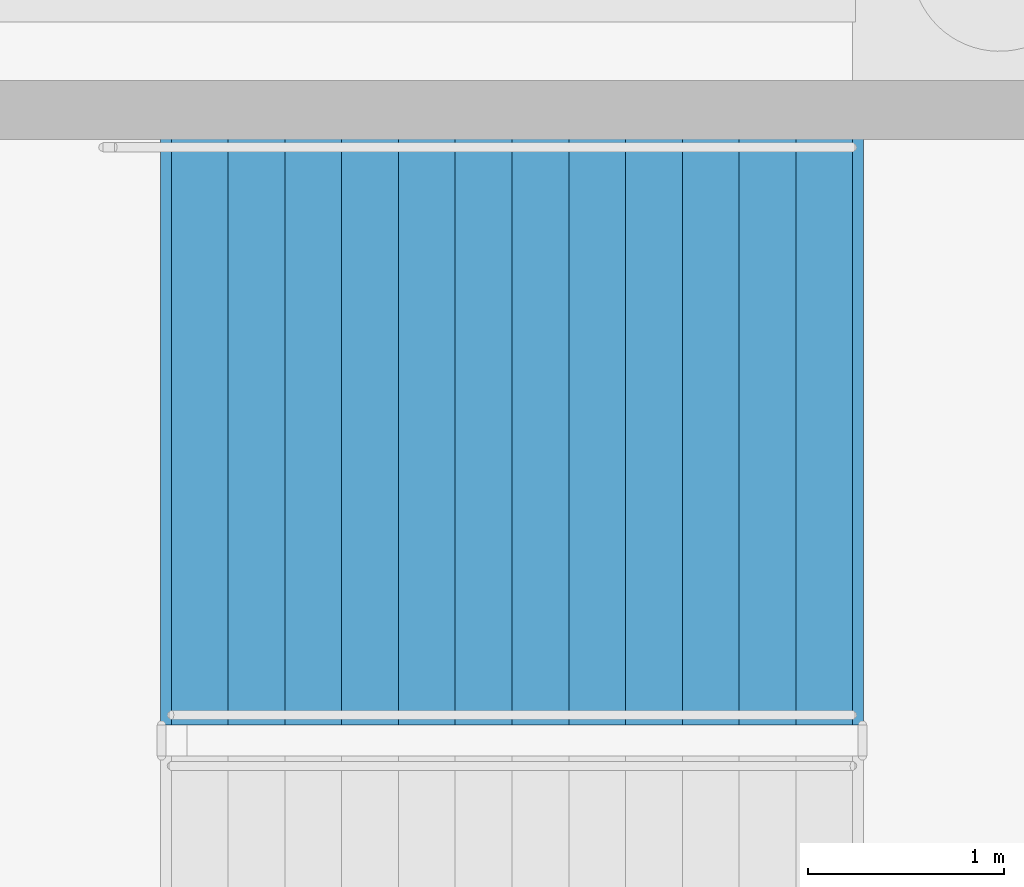
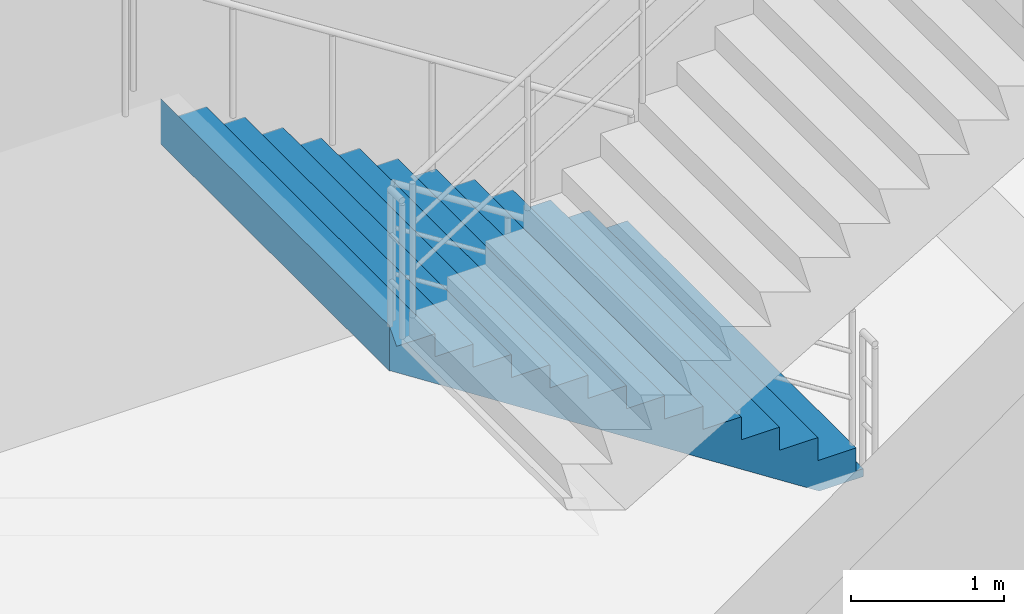
# One storey, part 59 of 68: 1 stair flight, 1 element without a shape of its own.
"""IFC4 building model written with IfcOpenShell, lengths in metres."""

from ifc_helpers import new_model, si_unit, direction, frame, origin, place, context, subcontext, project, spatial, polyline, outline, extrude, material, type_object, element, aggregate, save


model = new_model("IFC4")

# Units and contexts
model_context = context("Model", 3, precision=1e-05, world=origin(), true_north=direction((0.0, 1.0)))
body_context = subcontext(model_context, "Body", "Model", "MODEL_VIEW")
ifc_project = project(units=[si_unit("LENGTHUNIT", "METRE"), si_unit("AREAUNIT", "SQUARE_METRE"), si_unit("VOLUMEUNIT", "CUBIC_METRE"), si_unit("PLANEANGLEUNIT", "RADIAN"), si_unit("MASSUNIT", "GRAM", prefix="KILO")], contexts=[model_context])

# Site, building, storey
site_placement = place(None, origin())
site = spatial("IfcSite", under=ifc_project, at=site_placement, CompositionType="ELEMENT")
building_placement = place(site_placement, origin())
building = spatial("IfcBuilding", under=site, at=building_placement, Name="Cinderbank Siding Concert Hall", CompositionType="ELEMENT")
storey_placement = place(building_placement, frame((0.0, 0.0, -4.800048828125)))
storey = spatial("IfcBuildingStorey", under=building, at=storey_placement, Name="B1", CompositionType="ELEMENT", Elevation=-4.800048828125)

# Stair, stair flight
ifc_material = material(Name="Reinforced concrete AS 3600 N50 (50 MPa)", Category="concrete")
stair_type = type_object("IfcStairType", Name="STR-I Dogleg Exit Stair 3000mm", PredefinedType="HALF_TURN_STAIR", material=ifc_material)
stair_placement = place(storey_placement, origin())
stair = element("IfcStair", 1, at=stair_placement, inside=storey, type_object=stair_type, Name="B1 East Link Exit Stair ST-11", PredefinedType="HALF_TURN_STAIR")
stair_flight_type = type_object("IfcStairFlightType", Name="SFL-I Concrete Stair Flight 3000mm", PredefinedType="STRAIGHT", material=ifc_material)
stair_flight_placement = place(storey_placement, frame((159.699951171875, 86.2099609375, 0.0), z_axis=(0.0, 0.0, 1.0), x_axis=(-1.0, 0.0, 0.0)))
stair_flight = element("IfcStairFlight", 2, at=stair_flight_placement, type_object=stair_flight_type, Name="ST-11 flight 1", NumberOfRisers=13, NumberOfTreads=12, PredefinedType="STRAIGHT", RiserHeight=0.184615385, TreadLength=0.29, context=body_context, shape_type="SweptSolid", body=[
    extrude(outline(polyline([(0.0, 0.0), (0.0, 0.1845703125), (0.2900390625, 0.1845703125), (0.2900390625, 0.369140625), (0.580078125, 0.369140625), (0.580078125, 0.553955078125), (0.8701171875, 0.553955078125), (0.8701171875, 0.738525390625), (1.159912109375, 0.738525390625), (1.159912109375, 0.923095703125), (1.449951171875, 0.923095703125), (1.449951171875, 1.107666015625), (1.739990234375, 1.107666015625), (1.739990234375, 1.292236328125), (2.030029296875, 1.292236328125), (2.030029296875, 1.476806640625), (2.320068359375, 1.476806640625), (2.320068359375, 1.66162109375), (2.610107421875, 1.66162109375), (2.610107421875, 1.84619140625), (2.89990234375, 1.84619140625), (2.89990234375, 2.03076171875), (3.18994140625, 2.03076171875), (3.18994140625, 2.21533203125), (3.47998046875, 2.21533203125), (3.534912109375, 2.39990234375), (3.534912109375, 2.03759765625), (3.53466796875, 2.037841796875), (3.53466796875, 2.0380859375), (3.53466796875, 2.038330078125), (3.53466796875, 2.03857421875), (3.53466796875, 2.038818359375), (3.53466796875, 2.0390625), (3.53466796875, 2.039306640625), (3.53466796875, 2.03955078125), (3.53466796875, 2.039794921875), (3.53466796875, 2.0400390625), (3.53466796875, 2.040283203125), (3.53466796875, 2.04052734375), (3.534423828125, 2.04052734375), (3.534423828125, 2.040283203125), (3.534423828125, 2.0400390625), (3.534423828125, 2.039794921875), (3.534423828125, 2.03955078125), (3.534423828125, 2.039306640625), (3.534423828125, 2.0390625), (3.534423828125, 2.038818359375), (3.534423828125, 2.03857421875), (3.534423828125, 2.038330078125), (3.534423828125, 2.0380859375), (3.534423828125, 2.037841796875), (3.534423828125, 2.03759765625), (3.5341796875, 2.037841796875), (3.5341796875, 2.0380859375), (3.5341796875, 2.038330078125), (3.5341796875, 2.03857421875), (3.5341796875, 2.038818359375), (3.5341796875, 2.0390625), (3.5341796875, 2.039306640625), (3.5341796875, 2.03955078125), (3.5341796875, 2.039794921875), (3.5341796875, 2.0400390625), (3.5341796875, 2.040283203125), (3.5341796875, 2.04052734375), (3.533935546875, 2.04052734375), (3.533935546875, 2.040283203125), (3.533935546875, 2.0400390625), (3.533935546875, 2.039794921875), (3.533935546875, 2.03955078125), (3.533935546875, 2.039306640625), (3.533935546875, 2.0390625), (3.533935546875, 2.038818359375), (3.533935546875, 2.03857421875), (3.533935546875, 2.038330078125), (3.533935546875, 2.0380859375), (3.533935546875, 2.037841796875), (3.533935546875, 2.03759765625), (3.53369140625, 2.037841796875), (3.53369140625, 2.0380859375), (3.53369140625, 2.038330078125), (3.53369140625, 2.03857421875), (3.53369140625, 2.038818359375), (3.53369140625, 2.0390625), (3.53369140625, 2.039306640625), (3.53369140625, 2.03955078125), (3.53369140625, 2.039794921875), (3.53369140625, 2.0400390625), (3.53369140625, 2.040283203125), (3.53369140625, 2.04052734375), (3.533447265625, 2.04052734375), (3.533447265625, 2.040283203125), (3.533447265625, 2.0400390625), (3.533447265625, 2.039794921875), (3.533447265625, 2.03955078125), (3.533447265625, 2.039306640625), (3.533447265625, 2.0390625), (3.533447265625, 2.038818359375), (3.533447265625, 2.03857421875), (3.533447265625, 2.038330078125), (3.533447265625, 2.0380859375), (3.533447265625, 2.037841796875), (3.533447265625, 2.03759765625), (3.533203125, 2.037841796875), (3.533203125, 2.0380859375), (3.533203125, 2.038330078125), (3.533203125, 2.03857421875), (3.533203125, 2.038818359375), (3.533203125, 2.0390625), (3.533203125, 2.039306640625), (3.533203125, 2.03955078125), (3.533203125, 2.039794921875), (3.533203125, 2.0400390625), (3.533203125, 2.040283203125), (3.533203125, 2.04052734375), (3.532958984375, 2.04052734375), (3.532958984375, 2.040283203125), (3.532958984375, 2.0400390625), (3.532958984375, 2.039794921875), (3.532958984375, 2.03955078125), (3.532958984375, 2.039306640625), (3.532958984375, 2.0390625), (3.532958984375, 2.038818359375), (3.532958984375, 2.03857421875), (3.532958984375, 2.038330078125), (3.532958984375, 2.0380859375), (3.532958984375, 2.037841796875), (3.532958984375, 2.03759765625), (3.53271484375, 2.037841796875), (3.53271484375, 2.0380859375), (3.53271484375, 2.038330078125), (3.53271484375, 2.03857421875), (3.53271484375, 2.038818359375), (3.53271484375, 2.0390625), (3.53271484375, 2.039306640625), (3.53271484375, 2.03955078125), (3.53271484375, 2.039794921875), (3.53271484375, 2.0400390625), (3.53271484375, 2.040283203125), (3.53271484375, 2.04052734375), (3.532470703125, 2.04052734375), (3.532470703125, 2.040283203125), (3.532470703125, 2.0400390625), (3.532470703125, 2.039794921875), (3.532470703125, 2.03955078125), (3.532470703125, 2.039306640625), (3.532470703125, 2.0390625), (3.532470703125, 2.038818359375), (3.532470703125, 2.03857421875), (3.532470703125, 2.038330078125), (3.532470703125, 2.0380859375), (3.532470703125, 2.037841796875), (3.532470703125, 2.03759765625), (3.5322265625, 2.037841796875), (3.5322265625, 2.0380859375), (3.5322265625, 2.038330078125), (3.5322265625, 2.03857421875), (3.5322265625, 2.038818359375), (3.5322265625, 2.0390625), (3.5322265625, 2.039306640625), (3.5322265625, 2.03955078125), (3.5322265625, 2.039794921875), (3.5322265625, 2.0400390625), (3.5322265625, 2.040283203125), (3.5322265625, 2.04052734375), (3.531982421875, 2.04052734375), (3.531982421875, 2.040283203125), (3.531982421875, 2.0400390625), (3.531982421875, 2.039794921875), (3.531982421875, 2.03955078125), (3.531982421875, 2.039306640625), (3.531982421875, 2.0390625), (3.531982421875, 2.038818359375), (3.531982421875, 2.03857421875), (3.531982421875, 2.038330078125), (3.531982421875, 2.0380859375), (3.531982421875, 2.037841796875), (3.531982421875, 2.03759765625), (3.53173828125, 2.037841796875), (3.53173828125, 2.0380859375), (3.53173828125, 2.038330078125), (3.53173828125, 2.03857421875), (3.53173828125, 2.038818359375), (3.53173828125, 2.0390625), (3.53173828125, 2.039306640625), (3.53173828125, 2.03955078125), (3.53173828125, 2.039794921875), (3.53173828125, 2.0400390625), (3.53173828125, 2.040283203125), (3.53173828125, 2.04052734375), (3.531494140625, 2.04052734375), (3.531494140625, 2.040283203125), (3.531494140625, 2.0400390625), (3.531494140625, 2.039794921875), (3.531494140625, 2.03955078125), (3.531494140625, 2.039306640625), (3.531494140625, 2.0390625), (3.531494140625, 2.038818359375), (3.531494140625, 2.03857421875), (3.531494140625, 2.038330078125), (3.531494140625, 2.0380859375), (3.531494140625, 2.037841796875), (3.531494140625, 2.03759765625), (3.53125, 2.037841796875), (3.53125, 2.0380859375), (3.53125, 2.038330078125), (3.53125, 2.03857421875), (3.53125, 2.038818359375), (3.53125, 2.0390625), (3.53125, 2.039306640625), (3.53125, 2.03955078125), (3.53125, 2.039794921875), (3.53125, 2.0400390625), (3.53125, 2.040283203125), (3.53125, 2.04052734375), (3.531005859375, 2.04052734375), (3.531005859375, 2.040283203125), (3.531005859375, 2.0400390625), (3.531005859375, 2.039794921875), (3.531005859375, 2.03955078125), (3.531005859375, 2.039306640625), (3.531005859375, 2.0390625), (3.531005859375, 2.038818359375), (3.531005859375, 2.03857421875), (3.531005859375, 2.038330078125), (3.531005859375, 2.0380859375), (3.531005859375, 2.037841796875), (3.531005859375, 2.03759765625), (3.53076171875, 2.037841796875), (3.53076171875, 2.0380859375), (3.53076171875, 2.038330078125), (3.53076171875, 2.03857421875), (3.53076171875, 2.038818359375), (3.53076171875, 2.0390625), (3.53076171875, 2.039306640625), (3.53076171875, 2.03955078125), (3.53076171875, 2.039794921875), (3.53076171875, 2.0400390625), (3.53076171875, 2.040283203125), (3.53076171875, 2.04052734375), (3.530517578125, 2.04052734375), (3.530517578125, 2.040283203125), (3.530517578125, 2.0400390625), (3.530517578125, 2.039794921875), (3.530517578125, 2.03955078125), (3.530517578125, 2.039306640625), (3.530517578125, 2.0390625), (3.530517578125, 2.038818359375), (3.530517578125, 2.03857421875), (3.530517578125, 2.038330078125), (3.530517578125, 2.0380859375), (3.530517578125, 2.037841796875), (3.530517578125, 2.03759765625), (3.5302734375, 2.037841796875), (3.5302734375, 2.0380859375), (3.5302734375, 2.038330078125), (3.5302734375, 2.03857421875), (3.5302734375, 2.038818359375), (3.5302734375, 2.0390625), (3.5302734375, 2.039306640625), (3.5302734375, 2.03955078125), (3.5302734375, 2.039794921875), (3.5302734375, 2.0400390625), (3.5302734375, 2.040283203125), (3.5302734375, 2.04052734375), (3.530029296875, 2.04052734375), (3.530029296875, 2.040283203125), (3.530029296875, 2.0400390625), (3.530029296875, 2.039794921875), (3.530029296875, 2.03955078125), (3.530029296875, 2.039306640625), (3.530029296875, 2.0390625), (3.530029296875, 2.038818359375), (3.530029296875, 2.03857421875), (3.530029296875, 2.038330078125), (3.530029296875, 2.0380859375), (3.530029296875, 2.037841796875), (3.530029296875, 2.03759765625), (3.52978515625, 2.037841796875), (3.52978515625, 2.0380859375), (3.52978515625, 2.038330078125), (3.52978515625, 2.03857421875), (3.52978515625, 2.038818359375), (3.52978515625, 2.0390625), (3.52978515625, 2.039306640625), (3.52978515625, 2.03955078125), (3.52978515625, 2.039794921875), (3.52978515625, 2.0400390625), (3.52978515625, 2.040283203125), (3.52978515625, 2.04052734375), (3.529541015625, 2.04052734375), (3.529541015625, 2.040283203125), (3.529541015625, 2.0400390625), (3.529541015625, 2.039794921875), (3.529541015625, 2.03955078125), (3.529541015625, 2.039306640625), (3.529541015625, 2.0390625), (3.529541015625, 2.038818359375), (3.529541015625, 2.03857421875), (3.529541015625, 2.038330078125), (3.529541015625, 2.0380859375), (3.529541015625, 2.037841796875), (3.529541015625, 2.03759765625), (3.529296875, 2.037841796875), (3.529296875, 2.0380859375), (3.529296875, 2.038330078125), (3.529296875, 2.03857421875), (3.529296875, 2.038818359375), (3.529296875, 2.0390625), (3.529296875, 2.039306640625), (3.529296875, 2.03955078125), (3.529296875, 2.039794921875), (3.529296875, 2.0400390625), (3.529296875, 2.040283203125), (3.529296875, 2.04052734375), (3.529052734375, 2.04052734375), (3.529052734375, 2.040283203125), (3.529052734375, 2.0400390625), (3.529052734375, 2.039794921875), (3.529052734375, 2.03955078125), (3.529052734375, 2.039306640625), (3.529052734375, 2.0390625), (3.529052734375, 2.038818359375), (3.529052734375, 2.03857421875), (3.529052734375, 2.038330078125), (3.529052734375, 2.0380859375), (3.529052734375, 2.037841796875), (3.529052734375, 2.03759765625), (3.52880859375, 2.037841796875), (3.52880859375, 2.0380859375), (3.52880859375, 2.038330078125), (3.52880859375, 2.03857421875), (3.52880859375, 2.038818359375), (3.52880859375, 2.0390625), (3.52880859375, 2.039306640625), (3.52880859375, 2.03955078125), (3.52880859375, 2.039794921875), (3.52880859375, 2.0400390625), (3.52880859375, 2.040283203125), (3.52880859375, 2.04052734375), (3.528564453125, 2.04052734375), (3.528564453125, 2.040283203125), (3.528564453125, 2.0400390625), (3.528564453125, 2.039794921875), (3.528564453125, 2.03955078125), (3.528564453125, 2.039306640625), (3.528564453125, 2.0390625), (3.528564453125, 2.038818359375), (3.528564453125, 2.03857421875), (3.528564453125, 2.038330078125), (3.528564453125, 2.0380859375), (3.528564453125, 2.037841796875), (3.528564453125, 2.03759765625), (0.279052734375, -0.06396484375), (-0.048583984375, -0.063720703125), (-0.048583984375, -0.0634765625), (-0.048583984375, -0.063232421875), (-0.048583984375, -0.06298828125), (-0.048583984375, -0.062744140625), (-0.048583984375, -0.0625), (-0.048583984375, -0.062255859375), (-0.048583984375, -0.06201171875), (-0.048583984375, -0.061767578125), (-0.048583984375, -0.0615234375), (-0.048583984375, -0.061279296875), (-0.048583984375, -0.06103515625), (-0.048828125, -0.06103515625), (-0.048828125, -0.061279296875), (-0.048828125, -0.0615234375), (-0.048828125, -0.061767578125), (-0.048828125, -0.06201171875), (-0.048828125, -0.062255859375), (-0.048828125, -0.0625), (-0.048828125, -0.062744140625), (-0.048828125, -0.06298828125), (-0.048828125, -0.063232421875), (-0.048828125, -0.0634765625), (-0.048828125, -0.063720703125), (-0.048828125, -0.06396484375), (-0.049072265625, -0.063720703125), (-0.049072265625, -0.0634765625), (-0.049072265625, -0.063232421875), (-0.049072265625, -0.06298828125), (-0.049072265625, -0.062744140625), (-0.049072265625, -0.0625), (-0.049072265625, -0.062255859375), (-0.049072265625, -0.06201171875), (-0.049072265625, -0.061767578125), (-0.049072265625, -0.0615234375), (-0.049072265625, -0.061279296875), (-0.049072265625, -0.06103515625), (-0.04931640625, -0.06103515625), (-0.04931640625, -0.061279296875), (-0.04931640625, -0.0615234375), (-0.04931640625, -0.061767578125), (-0.04931640625, -0.06201171875), (-0.04931640625, -0.062255859375), (-0.04931640625, -0.0625), (-0.04931640625, -0.062744140625), (-0.04931640625, -0.06298828125), (-0.04931640625, -0.063232421875), (-0.04931640625, -0.0634765625), (-0.04931640625, -0.063720703125), (-0.04931640625, -0.06396484375), (-0.049560546875, -0.063720703125), (-0.049560546875, -0.0634765625), (-0.049560546875, -0.063232421875), (-0.049560546875, -0.06298828125), (-0.049560546875, -0.062744140625), (-0.049560546875, -0.0625), (-0.049560546875, -0.062255859375), (-0.049560546875, -0.06201171875), (-0.049560546875, -0.061767578125), (-0.049560546875, -0.0615234375), (-0.049560546875, -0.061279296875), (-0.049560546875, -0.06103515625), (-0.0498046875, -0.06103515625), (-0.0498046875, -0.061279296875), (-0.0498046875, -0.0615234375), (-0.0498046875, -0.061767578125), (-0.0498046875, -0.06201171875), (-0.0498046875, -0.062255859375), (-0.0498046875, -0.0625), (-0.0498046875, -0.062744140625), (-0.0498046875, -0.06298828125), (-0.0498046875, -0.063232421875), (-0.0498046875, -0.0634765625), (-0.0498046875, -0.063720703125), (-0.0498046875, -0.06396484375), (-0.050048828125, -0.063720703125), (-0.050048828125, -0.0634765625), (-0.050048828125, -0.063232421875), (-0.050048828125, -0.06298828125), (-0.050048828125, -0.062744140625), (-0.050048828125, -0.0625), (-0.050048828125, -0.062255859375), (-0.050048828125, -0.06201171875), (-0.050048828125, -0.061767578125), (-0.050048828125, -0.0615234375), (-0.050048828125, -0.061279296875), (-0.050048828125, -0.06103515625), (-0.05029296875, -0.06103515625), (-0.05029296875, -0.061279296875), (-0.05029296875, -0.0615234375), (-0.05029296875, -0.061767578125), (-0.05029296875, -0.06201171875), (-0.05029296875, -0.062255859375), (-0.05029296875, -0.0625), (-0.05029296875, -0.062744140625), (-0.05029296875, -0.06298828125), (-0.05029296875, -0.063232421875), (-0.05029296875, -0.0634765625), (-0.05029296875, -0.063720703125), (-0.05029296875, -0.06396484375), (-0.050537109375, -0.063720703125), (-0.050537109375, -0.0634765625), (-0.050537109375, -0.063232421875), (-0.050537109375, -0.06298828125), (-0.050537109375, -0.062744140625), (-0.050537109375, -0.0625), (-0.050537109375, -0.062255859375), (-0.050537109375, -0.06201171875), (-0.050537109375, -0.061767578125), (-0.050537109375, -0.0615234375), (-0.050537109375, -0.061279296875), (-0.050537109375, -0.06103515625), (-0.05078125, -0.06103515625), (-0.05078125, -0.061279296875), (-0.05078125, -0.0615234375), (-0.05078125, -0.061767578125), (-0.05078125, -0.06201171875), (-0.05078125, -0.062255859375), (-0.05078125, -0.0625), (-0.05078125, -0.062744140625), (-0.05078125, -0.06298828125), (-0.05078125, -0.063232421875), (-0.05078125, -0.0634765625), (-0.05078125, -0.063720703125), (-0.05078125, -0.06396484375), (-0.051025390625, -0.063720703125), (-0.051025390625, -0.0634765625), (-0.051025390625, -0.063232421875), (-0.051025390625, -0.06298828125), (-0.051025390625, -0.062744140625), (-0.051025390625, -0.0625), (-0.051025390625, -0.062255859375), (-0.051025390625, -0.06201171875), (-0.051025390625, -0.061767578125), (-0.051025390625, -0.0615234375), (-0.051025390625, -0.061279296875), (-0.051025390625, -0.06103515625), (-0.05126953125, -0.06103515625), (-0.05126953125, -0.061279296875), (-0.05126953125, -0.0615234375), (-0.05126953125, -0.061767578125), (-0.05126953125, -0.06201171875), (-0.05126953125, -0.062255859375), (-0.05126953125, -0.0625), (-0.05126953125, -0.062744140625), (-0.05126953125, -0.06298828125), (-0.05126953125, -0.063232421875), (-0.05126953125, -0.0634765625), (-0.05126953125, -0.063720703125), (-0.05126953125, -0.06396484375), (-0.051513671875, -0.063720703125), (-0.051513671875, -0.0634765625), (-0.051513671875, -0.063232421875), (-0.051513671875, -0.06298828125), (-0.051513671875, -0.062744140625), (-0.051513671875, -0.0625), (-0.051513671875, -0.062255859375), (-0.051513671875, -0.06201171875), (-0.051513671875, -0.061767578125), (-0.051513671875, -0.0615234375), (-0.051513671875, -0.061279296875), (-0.051513671875, -0.06103515625), (-0.0517578125, -0.06103515625), (-0.0517578125, -0.061279296875), (-0.0517578125, -0.0615234375), (-0.0517578125, -0.061767578125), (-0.0517578125, -0.06201171875), (-0.0517578125, -0.062255859375), (-0.0517578125, -0.0625), (-0.0517578125, -0.062744140625), (-0.0517578125, -0.06298828125), (-0.0517578125, -0.063232421875), (-0.0517578125, -0.0634765625), (-0.0517578125, -0.063720703125), (-0.0517578125, -0.06396484375), (-0.052001953125, -0.063720703125), (-0.052001953125, -0.0634765625), (-0.052001953125, -0.063232421875), (-0.052001953125, -0.06298828125), (-0.052001953125, -0.062744140625), (-0.052001953125, -0.0625), (-0.052001953125, -0.062255859375), (-0.052001953125, -0.06201171875), (-0.052001953125, -0.061767578125), (-0.052001953125, -0.0615234375), (-0.052001953125, -0.061279296875), (-0.052001953125, -0.06103515625), (-0.05224609375, -0.06103515625), (-0.05224609375, -0.061279296875), (-0.05224609375, -0.0615234375), (-0.05224609375, -0.061767578125), (-0.05224609375, -0.06201171875), (-0.05224609375, -0.062255859375), (-0.05224609375, -0.0625), (-0.05224609375, -0.062744140625), (-0.05224609375, -0.06298828125), (-0.05224609375, -0.063232421875), (-0.05224609375, -0.0634765625), (-0.05224609375, -0.063720703125), (-0.05224609375, -0.06396484375), (-0.052490234375, -0.063720703125), (-0.052490234375, -0.0634765625), (-0.052490234375, -0.063232421875), (-0.052490234375, -0.06298828125), (-0.052490234375, -0.062744140625), (-0.052490234375, -0.0625), (-0.052490234375, -0.062255859375), (-0.052490234375, -0.06201171875), (-0.052490234375, -0.061767578125), (-0.052490234375, -0.0615234375), (-0.052490234375, -0.061279296875), (-0.052490234375, -0.06103515625), (-0.052734375, -0.06103515625), (-0.052734375, -0.061279296875), (-0.052734375, -0.0615234375), (-0.052734375, -0.061767578125), (-0.052734375, -0.06201171875), (-0.052734375, -0.062255859375), (-0.052734375, -0.0625), (-0.052734375, -0.062744140625), (-0.052734375, -0.06298828125), (-0.052734375, -0.063232421875), (-0.052734375, -0.0634765625), (-0.052734375, -0.063720703125), (-0.052734375, -0.06396484375), (-0.052978515625, -0.063720703125), (-0.052978515625, -0.0634765625), (-0.052978515625, -0.063232421875), (-0.052978515625, -0.06298828125), (-0.052978515625, -0.062744140625), (-0.052978515625, -0.0625), (-0.052978515625, -0.062255859375), (-0.052978515625, -0.06201171875), (-0.052978515625, -0.061767578125), (-0.052978515625, -0.0615234375), (-0.052978515625, -0.061279296875), (-0.052978515625, -0.06103515625), (-0.05322265625, -0.06103515625), (-0.05322265625, -0.061279296875), (-0.05322265625, -0.0615234375), (-0.05322265625, -0.061767578125), (-0.05322265625, -0.06201171875), (-0.05322265625, -0.062255859375), (-0.05322265625, -0.0625), (-0.05322265625, -0.062744140625), (-0.05322265625, -0.06298828125), (-0.05322265625, -0.063232421875), (-0.05322265625, -0.0634765625), (-0.05322265625, -0.063720703125), (-0.05322265625, -0.06396484375), (-0.053466796875, -0.063720703125), (-0.053466796875, -0.0634765625), (-0.053466796875, -0.063232421875), (-0.053466796875, -0.06298828125), (-0.053466796875, -0.062744140625), (-0.053466796875, -0.0625), (-0.053466796875, -0.062255859375), (-0.053466796875, -0.06201171875), (-0.053466796875, -0.061767578125), (-0.053466796875, -0.0615234375), (-0.053466796875, -0.061279296875), (-0.053466796875, -0.06103515625), (-0.0537109375, -0.06103515625), (-0.0537109375, -0.061279296875), (-0.0537109375, -0.0615234375), (-0.0537109375, -0.061767578125), (-0.0537109375, -0.06201171875), (-0.0537109375, -0.062255859375), (-0.0537109375, -0.0625), (-0.0537109375, -0.062744140625), (-0.0537109375, -0.06298828125), (-0.0537109375, -0.063232421875), (-0.0537109375, -0.0634765625), (-0.0537109375, -0.063720703125), (-0.0537109375, -0.06396484375), (-0.053955078125, -0.063720703125), (-0.053955078125, -0.0634765625), (-0.053955078125, -0.063232421875), (-0.053955078125, -0.06298828125), (-0.053955078125, -0.062744140625), (-0.053955078125, -0.0625), (-0.053955078125, -0.062255859375), (-0.053955078125, -0.06201171875), (-0.053955078125, -0.061767578125), (-0.053955078125, -0.0615234375), (-0.053955078125, -0.061279296875), (-0.053955078125, -0.06103515625), (-0.05419921875, -0.06103515625), (-0.05419921875, -0.061279296875), (-0.05419921875, -0.0615234375), (-0.05419921875, -0.061767578125), (-0.05419921875, -0.06201171875), (-0.05419921875, -0.062255859375), (-0.05419921875, -0.0625), (-0.05419921875, -0.062744140625), (-0.05419921875, -0.06298828125), (-0.05419921875, -0.063232421875), (-0.05419921875, -0.0634765625), (-0.05419921875, -0.063720703125), (-0.05419921875, -0.06396484375), (-0.054443359375, -0.063720703125), (-0.054443359375, -0.0634765625), (-0.054443359375, -0.063232421875), (-0.054443359375, -0.06298828125), (-0.054443359375, -0.062744140625), (-0.054443359375, -0.0625), (-0.054443359375, -0.062255859375), (-0.054443359375, -0.06201171875), (-0.054443359375, -0.061767578125), (-0.054443359375, -0.0615234375), (-0.054443359375, -0.061279296875), (-0.054443359375, -0.06103515625), (-0.0546875, -0.06103515625), (-0.0546875, -0.061279296875), (-0.0546875, -0.0615234375), (-0.0546875, -0.061767578125), (-0.0546875, -0.06201171875), (-0.0546875, -0.062255859375), (-0.0546875, -0.0625), (-0.0546875, -0.062744140625), (-0.0546875, -0.06298828125), (-0.0546875, -0.063232421875), (-0.0546875, -0.0634765625), (-0.0546875, -0.063720703125), (-0.0546875, -0.06396484375), (-0.054931640625, -0.06396484375), (-0.054931640625, 0.0), (0.0, 0.0)])), frame((0.0, 1.5, 0.0), z_axis=(0.0, -1.0, 0.0), x_axis=(1.0, 0.0, 0.0)), (0.0, 0.0, 1.0), 3.0),
])
aggregate(stair, [stair_flight])

save(model, "model.ifc")
